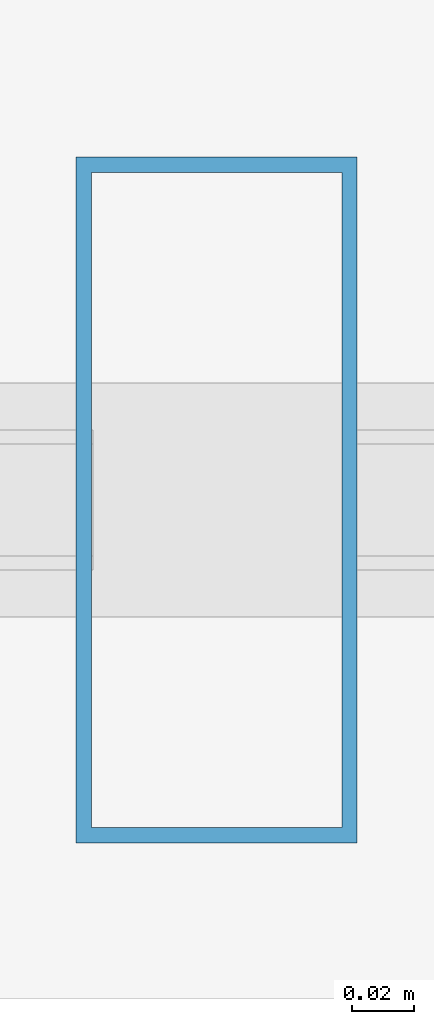
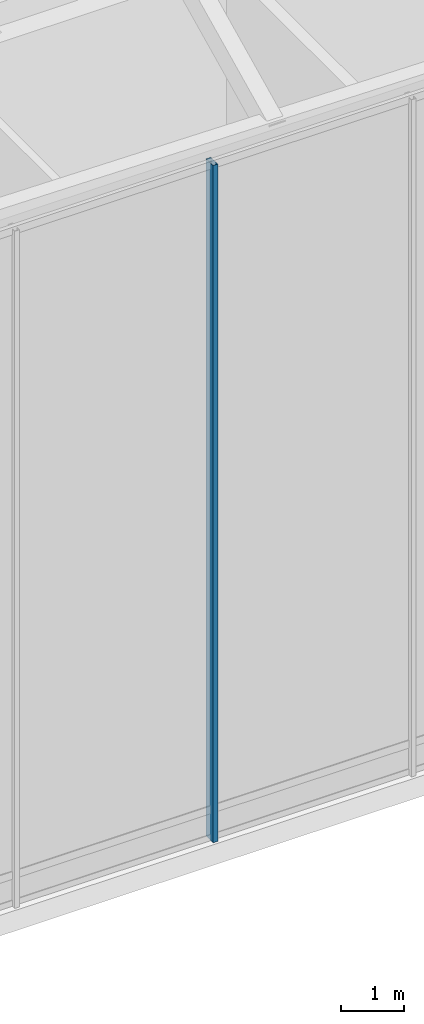
# One storey, part 5 of 36: 1 member, 1 element without a shape of its own.
"""IFC4 building model written with IfcOpenShell, lengths in metres."""

from ifc_helpers import new_model, si_unit, direction, frame, origin, origin_2d, place, context, subcontext, project, spatial, hollow_rectangle, extrude, material, layer, layer_set, material_profile, profile_set, type_object, element, aggregate, save


model = new_model("IFC4")

# Units and contexts
model_context = context("Model", 3, precision=1e-05, world=origin(), true_north=direction((0.0, 1.0)))
body_context = subcontext(model_context, "Body", "Model", "MODEL_VIEW")
ifc_project = project(units=[si_unit("LENGTHUNIT", "METRE"), si_unit("AREAUNIT", "SQUARE_METRE"), si_unit("VOLUMEUNIT", "CUBIC_METRE"), si_unit("PLANEANGLEUNIT", "RADIAN"), si_unit("MASSUNIT", "GRAM", prefix="KILO")], contexts=[model_context])

# Site, building, storey
site_placement = place(None, origin())
site = spatial("IfcSite", under=ifc_project, at=site_placement, CompositionType="ELEMENT")
building_placement = place(site_placement, origin())
building = spatial("IfcBuilding", under=site, at=building_placement, Name="Ndaravel Arena Tower", CompositionType="ELEMENT")
storey_placement = place(building_placement, frame((0.0, 0.0, 308.10009765625)))
storey = spatial("IfcBuildingStorey", under=building, at=storey_placement, Name="Roof Crown", CompositionType="ELEMENT", Elevation=308.10009765625)

# Curtain wall, member
ifc_material_1 = material(Name="Aluminium", Category="aluminium")
ifc_layer = layer(ifc_material_1, 0.179931640625)
ifc_layer_set = layer_set([ifc_layer], Name="Aluminium")
curtain_wall_type = type_object("IfcCurtainWallType", Name="CW-SYS-06", PredefinedType="NOTDEFINED", material=ifc_layer_set)
curtain_wall_placement = place(storey_placement, origin())
curtain_wall = element("IfcCurtainWall", 1, at=curtain_wall_placement, inside=storey, type_object=curtain_wall_type, Name="Roof Crown Sloped Crown Lantern Curtain Wall CW-CROWN-E01", PredefinedType="NOTDEFINED")
ifc_material_2 = material(Name="Aluminium", Category="aluminium")
ifc_material_profile = material_profile(ifc_material_2, hollow_rectangle(XDim=0.090087890625, YDim=0.219970703125, WallThickness=0.0048828125, at=origin_2d()), Name="CW MULLION 90x220x5")
ifc_profile_set = profile_set([ifc_material_profile], Name="Aluminium")
member_type = type_object("IfcMemberType", Name="MEM-CW-MUL220", PredefinedType="MULLION", material=ifc_profile_set)
member_placement = place(storey_placement, frame((32.856689453125, 5.159912109375, 0.0), z_axis=(0.0, 0.0, 1.0), x_axis=(1.0, 0.0, 0.0)))
member = element("IfcMember", 2, at=member_placement, type_object=member_type, Name="CW-CROWN-E01 Mullion 03", PredefinedType="MULLION", context=body_context, shape_type="SweptSolid", body=[
    extrude(hollow_rectangle(XDim=0.090087890625, YDim=0.219970703125, WallThickness=0.0048828125, at=origin_2d()), origin(), (0.0, 0.0, 1.0), 13.2080078125),
])
aggregate(curtain_wall, [member])

save(model, "model.ifc")
